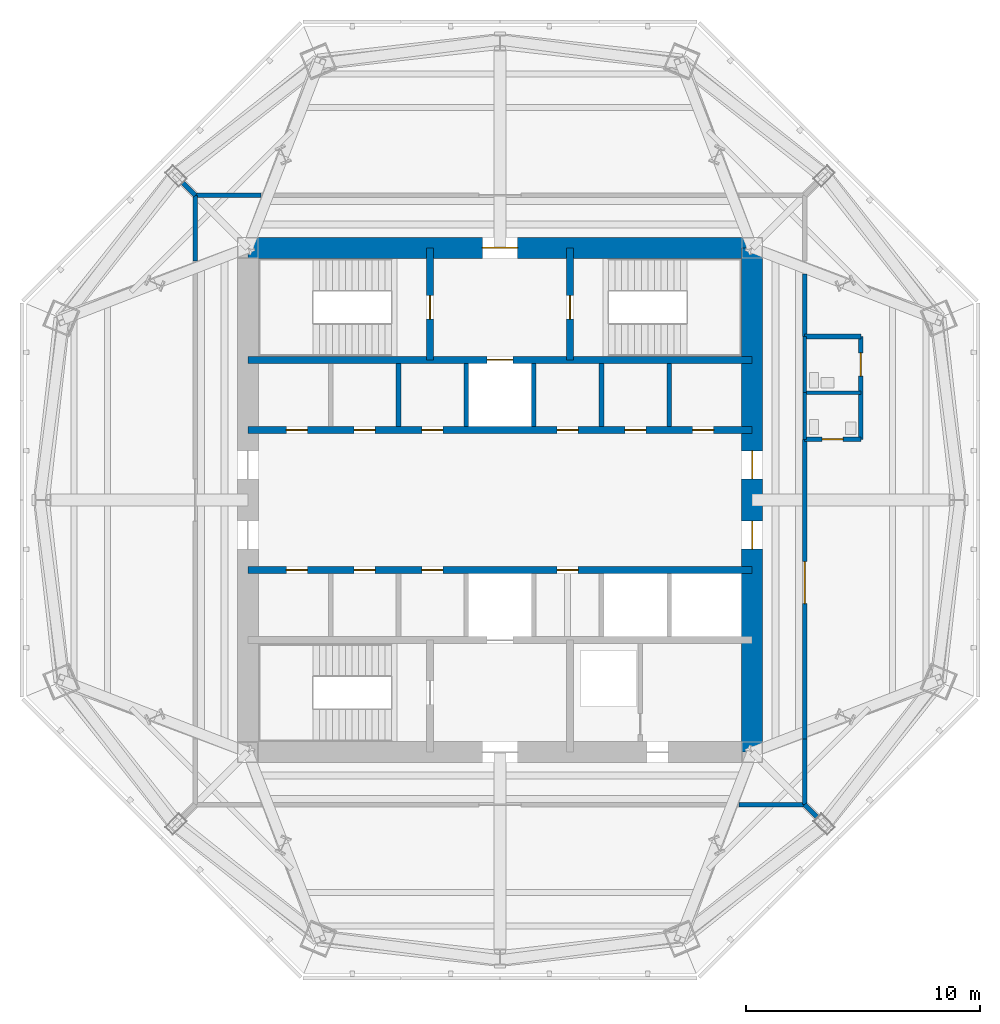
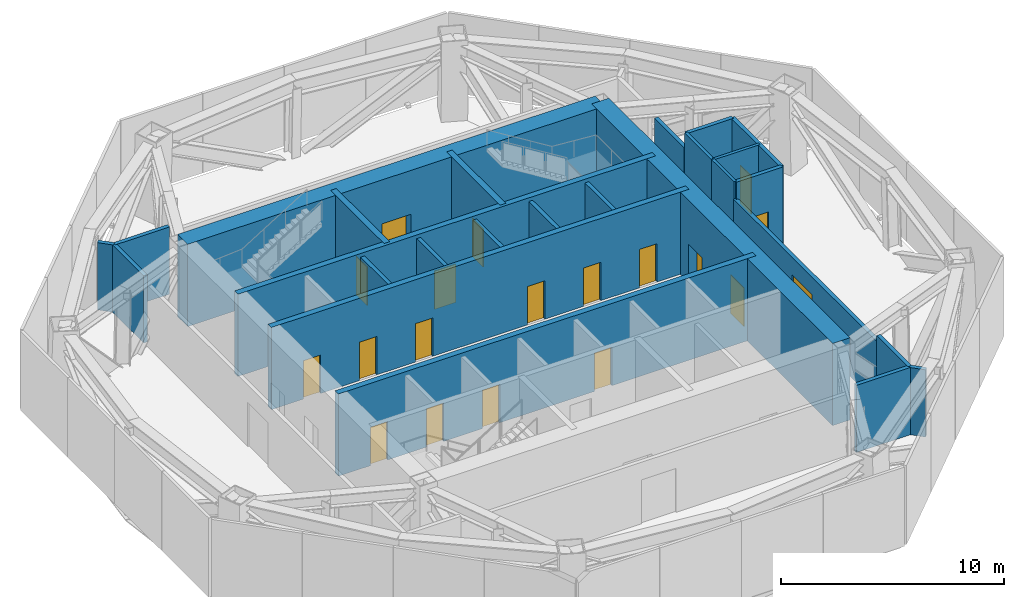
# One storey, part 5 of 9: 26 walls, 19 doors, 19 openings.
"""IFC4 building model written with IfcOpenShell, lengths in metres."""

from ifc_helpers import new_model, si_unit, direction, frame, frame_2d, origin, place, context, subcontext, project, spatial, rectangle, extrude, material, layer, layer_set, type_object, element, fill, save


model = new_model("IFC4")

# Units and contexts
model_context = context("Model", 3, precision=1e-05, world=origin(), true_north=direction((0.0, 1.0)))
body_context = subcontext(model_context, "Body", "Model", "MODEL_VIEW")
ifc_project = project(units=[si_unit("LENGTHUNIT", "METRE"), si_unit("AREAUNIT", "SQUARE_METRE"), si_unit("VOLUMEUNIT", "CUBIC_METRE"), si_unit("PLANEANGLEUNIT", "RADIAN"), si_unit("MASSUNIT", "GRAM", prefix="KILO")], contexts=[model_context])

# Site, building, storey
site_placement = place(None, origin())
site = spatial("IfcSite", under=ifc_project, at=site_placement, CompositionType="ELEMENT")
building_placement = place(site_placement, origin())
building = spatial("IfcBuilding", under=site, at=building_placement, Name="Mashrafa Tower", CompositionType="ELEMENT")
storey_placement = place(building_placement, frame((0.0, 0.0, 266.300048828125)))
storey = spatial("IfcBuildingStorey", under=building, at=storey_placement, Name="L64", CompositionType="ELEMENT", Elevation=266.300048828125)

# Wall
ifc_material_1 = material(Name="Concrete masonry unit", Category="masonry")
ifc_layer_1 = layer(ifc_material_1, 0.199951171875)
ifc_layer_set_1 = layer_set([ifc_layer_1], Name="Blockwork wall 200 2 hr")
wall_type_1 = type_object("IfcWallType", Name="Blockwork wall 200 2 hr", PredefinedType="PARTITIONING", material=ifc_layer_set_1)
wall_1_placement = place(storey_placement, frame((13.050048828125, -13.050048828125, 0.0), z_axis=(0.0, 0.0, 1.0), x_axis=(0.0, 1.0, 0.0)))
element("IfcWall", 1, at=wall_1_placement, inside=storey, type_object=wall_type_1, Name="Blockwork wall L64-003", PredefinedType="PARTITIONING", context=body_context, shape_type="SweptSolid", body=[
    extrude(rectangle(XDim=2.820068359375, YDim=0.199951171875, at=frame_2d((1.41015625, 0.0))), origin(), (0.0, 0.0, 1.0), 3.677734375),
])

# Wall, opening, door
wall_2_placement = place(storey_placement, frame((13.050048828125, -10.22802734375, 0.0), z_axis=(0.0, 0.0, 1.0), x_axis=(0.0, 1.0, 0.0)))
wall_2 = element("IfcWall", 2, at=wall_2_placement, inside=storey, type_object=wall_type_1, Name="Blockwork wall L64-004", PredefinedType="PARTITIONING", context=body_context, shape_type="SweptSolid", body=[
    extrude(rectangle(XDim=12.8291015625, YDim=0.199951171875, at=frame_2d((6.41455078125, 0.0))), origin(), (0.0, 0.0, 1.0), 3.36279296875),
])
opening_1_placement = place(wall_2_placement, frame((5.78564453125, 0.0, 0.0)))
opening_1 = element("IfcOpeningElement", 3, at=opening_1_placement, cuts=wall_2, Name="Opening 64.003", PredefinedType="OPENING", context=body_context, shape_type="SweptSolid", body=[
    extrude(rectangle(XDim=1.800048828125, YDim=2.39990234375, at=frame_2d((0.89990234375, 1.199951171875))), frame((0.0, 0.10986328125, 0.0), z_axis=(0.0, -1.0, 0.0), x_axis=(1.0, 0.0, 0.0)), (0.0, 0.0, 1.0), 0.219970703125),
])
ifc_material_2 = material(Name="Steel door", Category="steel")
door_type_1 = type_object("IfcDoorType", Name="Door pair 1800 x 2400 90 min", OperationType="DOUBLE_DOOR_SINGLE_SWING", PredefinedType="DOOR", material=ifc_material_2)
door_1_placement = place(opening_1_placement, origin())
door_1 = element("IfcDoor", 4, at=door_1_placement, inside=storey, type_object=door_type_1, Name="Refuge Area L64 East door", OperationType="DOUBLE_DOOR_SINGLE_SWING", OverallHeight=2.39990234375, OverallWidth=1.800048828125, PredefinedType="DOOR", context=body_context, shape_type="SweptSolid", body=[
    extrude(rectangle(XDim=1.800048828125, YDim=2.39990234375, at=frame_2d((0.89990234375, 1.199951171875))), frame((0.0, 0.02490234375, 0.0), z_axis=(0.0, -1.0, 0.0), x_axis=(1.0, 0.0, 0.0)), (0.0, 0.0, 1.0), 0.050048828125),
])
fill(opening_1, door_1)

# Walls
wall_3_placement = place(storey_placement, frame((13.050048828125, 6.9990234375, 0.0), z_axis=(0.0, 0.0, 1.0), x_axis=(0.0, 1.0, 0.0)))
element("IfcWall", 5, at=wall_3_placement, inside=storey, type_object=wall_type_1, Name="Blockwork wall L64-005", PredefinedType="PARTITIONING", context=body_context, shape_type="SweptSolid", body=[
    extrude(rectangle(XDim=2.6865234375, YDim=0.199951171875, at=frame_2d((1.34326171875, 0.0))), origin(), (0.0, 0.0, 1.0), 3.489990234375),
])
for number, where, z_axis, x_axis, name in (
    (6, (-13.050048828125, 13.050048828125, 0.0), (0.0, 0.0, 1.0), (0.0, -1.0, 0.0), "Blockwork wall L64-007"),
    (7, (-10.22998046875, 13.050048828125, 0.0), (0.0, 0.0, 1.0), (-1.0, 0.0, 0.0), "Blockwork wall L64-012"),
    (8, (10.22998046875, -13.050048828125, 0.0), (0.0, 0.0, 1.0), (1.0, 0.0, 0.0), "Blockwork wall L64-015"),
):
    element("IfcWall", number, at=place(storey_placement, frame(where, z_axis=z_axis, x_axis=x_axis)), inside=storey, type_object=wall_type_1, Name=name, PredefinedType="PARTITIONING", context=body_context, shape_type="SweptSolid", body=[
        extrude(rectangle(XDim=2.820068359375, YDim=0.199951171875, at=frame_2d((1.41015625, 0.0))), origin(), (0.0, 0.0, 1.0), 3.677734375),
    ])

# Wall, opening, door
wall_4_placement = place(storey_placement, frame((13.050048828125, 2.60009765625, 0.0), z_axis=(0.0, 0.0, 1.0), x_axis=(1.0, 0.0, 0.0)))
wall_4 = element("IfcWall", 9, at=wall_4_placement, inside=storey, type_object=wall_type_1, Name="Blockwork wall L64-017", PredefinedType="PARTITIONING", context=body_context, shape_type="SweptSolid", body=[
    extrude(rectangle(XDim=2.39990234375, YDim=0.199951171875, at=frame_2d((1.199951171875, 0.0))), origin(), (0.0, 0.0, 1.0), 4.300048828125),
])
opening_2_placement = place(wall_4_placement, frame((0.75, 0.0, 0.0)))
opening_2 = element("IfcOpeningElement", 10, at=opening_2_placement, cuts=wall_4, Name="Opening 64.001", PredefinedType="OPENING", context=body_context, shape_type="SweptSolid", body=[
    extrude(rectangle(XDim=0.89990234375, YDim=2.10009765625, at=frame_2d((0.449951171875, 1.050048828125))), frame((0.0, 0.10986328125, 0.0), z_axis=(0.0, -1.0, 0.0), x_axis=(1.0, 0.0, 0.0)), (0.0, 0.0, 1.0), 0.219970703125),
])
ifc_material_3 = material(Name="Timber door", Category="wood")
door_type_2 = type_object("IfcDoorType", Name="Toilet door 900 x 2100", OperationType="USERDEFINED", PredefinedType="DOOR", material=ifc_material_3)
door_2_placement = place(opening_2_placement, origin())
door_2 = element("IfcDoor", 11, at=door_2_placement, inside=storey, type_object=door_type_2, Name="Refuge WC L64 door", OperationType="SINGLE_SWING_RIGHT", OverallHeight=2.10009765625, OverallWidth=0.89990234375, PredefinedType="DOOR", context=body_context, shape_type="SweptSolid", body=[
    extrude(rectangle(XDim=0.89990234375, YDim=2.10009765625, at=frame_2d((0.449951171875, 1.050048828125))), frame((0.0, 0.02490234375, 0.0), z_axis=(0.0, -1.0, 0.0), x_axis=(1.0, 0.0, 0.0)), (0.0, 0.0, 1.0), 0.050048828125),
])
fill(opening_2, door_2)

wall_5_placement = place(storey_placement, frame((15.449951171875, 2.60009765625, 0.0), z_axis=(0.0, 0.0, 1.0), x_axis=(0.0, 1.0, 0.0)))
wall_5 = element("IfcWall", 12, at=wall_5_placement, inside=storey, type_object=wall_type_1, Name="Blockwork wall L64-018", PredefinedType="PARTITIONING", context=body_context, shape_type="SweptSolid", body=[
    extrude(rectangle(XDim=4.39990234375, YDim=0.199951171875, at=frame_2d((2.199951171875, 0.0))), origin(), (0.0, 0.0, 1.0), 4.300048828125),
])
opening_3_placement = place(wall_5_placement, frame((2.699951171875, 0.0, 0.0)))
opening_3 = element("IfcOpeningElement", 13, at=opening_3_placement, cuts=wall_5, Name="Opening 64.002", PredefinedType="OPENING", context=body_context, shape_type="SweptSolid", body=[
    extrude(rectangle(XDim=1.0, YDim=2.10009765625, at=frame_2d((0.5, 1.050048828125))), frame((0.0, 0.10986328125, 0.0), z_axis=(0.0, -1.0, 0.0), x_axis=(1.0, 0.0, 0.0)), (0.0, 0.0, 1.0), 0.219970703125),
])
ifc_material_4 = material(Name="Timber door", Category="wood")
door_type_3 = type_object("IfcDoorType", Name="Accessible toilet door 1000 x 2100", OperationType="USERDEFINED", PredefinedType="DOOR", material=ifc_material_4)
door_3_placement = place(opening_3_placement, origin())
door_3 = element("IfcDoor", 14, at=door_3_placement, inside=storey, type_object=door_type_3, Name="Refuge Accessible WC L64 door", OperationType="SINGLE_SWING_LEFT", OverallHeight=2.10009765625, OverallWidth=1.0, PredefinedType="DOOR", context=body_context, shape_type="SweptSolid", body=[
    extrude(rectangle(XDim=1.0, YDim=2.10009765625, at=frame_2d((0.5, 1.050048828125))), frame((0.0, 0.02490234375, 0.0), z_axis=(0.0, -1.0, 0.0), x_axis=(1.0, 0.0, 0.0)), (0.0, 0.0, 1.0), 0.050048828125),
])
fill(opening_3, door_3)

# Walls
wall_6_placement = place(storey_placement, frame((15.449951171875, 7.0, 0.0), z_axis=(0.0, 0.0, 1.0), x_axis=(-1.0, 0.0, 0.0)))
element("IfcWall", 15, at=wall_6_placement, inside=storey, type_object=wall_type_1, Name="Blockwork wall L64-020", PredefinedType="PARTITIONING", context=body_context, shape_type="SweptSolid", body=[
    extrude(rectangle(XDim=2.39990234375, YDim=0.199951171875, at=frame_2d((1.199951171875, 0.0))), origin(), (0.0, 0.0, 1.0), 4.300048828125),
])
for number, where, z_axis, x_axis, name in (
    (16, (13.050048828125, -13.050048828125, 0.0), (0.0, 0.0, 1.0), (0.707106781187, -0.707106781187, 0.0), "Blockwork wall L64-022"),
    (17, (-13.050048828125, 13.050048828125, 0.0), (0.0, 0.0, 1.0), (-0.707106781187, 0.707106781187, 0.0), "Blockwork wall L64-023"),
):
    element("IfcWall", number, at=place(storey_placement, frame(where, z_axis=z_axis, x_axis=x_axis)), inside=storey, type_object=wall_type_1, Name=name, PredefinedType="PARTITIONING", context=body_context, shape_type="SweptSolid", body=[
        extrude(rectangle(XDim=0.747802734375, YDim=0.199951171875, at=frame_2d((0.3740234375, 0.0))), origin(), (0.0, 0.0, 1.0), 3.677734375),
    ])

# Wall, openings, doors
ifc_material_5 = material(Name="Concrete C50/60", Category="concrete")
ifc_layer_2 = layer(ifc_material_5, 0.300048828125)
ifc_layer_set_2 = layer_set([ifc_layer_2], Name="Core wall 300 C50/60")
wall_type_2 = type_object("IfcWallType", Name="Core wall 300 C50/60", PredefinedType="SOLIDWALL", material=ifc_layer_set_2)
wall_7_placement = place(storey_placement, frame((-10.800048828125, 3.0, 0.0), z_axis=(0.0, 0.0, 1.0), x_axis=(1.0, 0.0, 0.0)))
wall_7 = element("IfcWall", 18, at=wall_7_placement, inside=storey, type_object=wall_type_2, Name="Core wall CH-N L64", PredefinedType="SOLIDWALL", context=body_context, shape_type="SweptSolid", body=[
    extrude(rectangle(XDim=21.60009765625, YDim=0.300048828125, at=frame_2d((10.800048828125, 0.0))), origin(), (0.0, 0.0, 1.0), 4.5),
])
opening_4_placement = place(wall_7_placement, frame((1.64990234375, 0.0, 0.0)))
opening_4 = element("IfcOpeningElement", 19, at=opening_4_placement, cuts=wall_7, Name="Opening 64.018", PredefinedType="OPENING", context=body_context, shape_type="SweptSolid", body=[
    extrude(rectangle(XDim=0.89990234375, YDim=2.10009765625, at=frame_2d((0.449951171875, 1.050048828125))), frame((0.0, 0.159912109375, 0.0), z_axis=(0.0, -1.0, 0.0), x_axis=(1.0, 0.0, 0.0)), (0.0, 0.0, 1.0), 0.320068359375),
])
opening_5_placement = place(wall_7_placement, frame((4.550048828125, 0.0, 0.0)))
opening_5 = element("IfcOpeningElement", 20, at=opening_5_placement, cuts=wall_7, Name="Opening 64.019", PredefinedType="OPENING", context=body_context, shape_type="SweptSolid", body=[
    extrude(rectangle(XDim=0.89990234375, YDim=2.10009765625, at=frame_2d((0.449951171875, 1.050048828125))), frame((0.0, 0.159912109375, 0.0), z_axis=(0.0, -1.0, 0.0), x_axis=(1.0, 0.0, 0.0)), (0.0, 0.0, 1.0), 0.320068359375),
])
opening_6_placement = place(wall_7_placement, frame((7.449951171875, 0.0, 0.0)))
opening_6 = element("IfcOpeningElement", 21, at=opening_6_placement, cuts=wall_7, Name="Opening 64.020", PredefinedType="OPENING", context=body_context, shape_type="SweptSolid", body=[
    extrude(rectangle(XDim=0.89990234375, YDim=2.10009765625, at=frame_2d((0.449951171875, 1.050048828125))), frame((0.0, 0.159912109375, 0.0), z_axis=(0.0, -1.0, 0.0), x_axis=(1.0, 0.0, 0.0)), (0.0, 0.0, 1.0), 0.320068359375),
])
opening_7_placement = place(wall_7_placement, frame((13.25, 0.0, 0.0)))
opening_7 = element("IfcOpeningElement", 22, at=opening_7_placement, cuts=wall_7, Name="Opening 64.021", PredefinedType="OPENING", context=body_context, shape_type="SweptSolid", body=[
    extrude(rectangle(XDim=0.89990234375, YDim=2.10009765625, at=frame_2d((0.449951171875, 1.050048828125))), frame((0.0, 0.159912109375, 0.0), z_axis=(0.0, -1.0, 0.0), x_axis=(1.0, 0.0, 0.0)), (0.0, 0.0, 1.0), 0.320068359375),
])
opening_8_placement = place(wall_7_placement, frame((16.14990234375, 0.0, 0.0)))
opening_8 = element("IfcOpeningElement", 23, at=opening_8_placement, cuts=wall_7, Name="Opening 64.022", PredefinedType="OPENING", context=body_context, shape_type="SweptSolid", body=[
    extrude(rectangle(XDim=0.89990234375, YDim=2.10009765625, at=frame_2d((0.449951171875, 1.050048828125))), frame((0.0, 0.159912109375, 0.0), z_axis=(0.0, -1.0, 0.0), x_axis=(1.0, 0.0, 0.0)), (0.0, 0.0, 1.0), 0.320068359375),
])
opening_9_placement = place(wall_7_placement, frame((19.050048828125, 0.0, 0.0)))
opening_9 = element("IfcOpeningElement", 24, at=opening_9_placement, cuts=wall_7, Name="Opening 64.023", PredefinedType="OPENING", context=body_context, shape_type="SweptSolid", body=[
    extrude(rectangle(XDim=0.89990234375, YDim=2.10009765625, at=frame_2d((0.449951171875, 1.050048828125))), frame((0.0, 0.159912109375, 0.0), z_axis=(0.0, -1.0, 0.0), x_axis=(1.0, 0.0, 0.0)), (0.0, 0.0, 1.0), 0.320068359375),
])
ifc_material_6 = material(Name="Timber door", Category="wood")
door_type_4 = type_object("IfcDoorType", Name="Store door 900 x 2100", OperationType="USERDEFINED", PredefinedType="DOOR", material=ifc_material_6)
door_4_placement = place(opening_4_placement, origin())
door_4 = element("IfcDoor", 25, at=door_4_placement, inside=storey, type_object=door_type_4, Name="Plant Store L64-A1 door", OperationType="SINGLE_SWING_RIGHT", OverallHeight=2.10009765625, OverallWidth=0.89990234375, PredefinedType="DOOR", context=body_context, shape_type="SweptSolid", body=[
    extrude(rectangle(XDim=0.89990234375, YDim=2.10009765625, at=frame_2d((0.449951171875, 1.050048828125))), frame((0.0, 0.02490234375, 0.0), z_axis=(0.0, -1.0, 0.0), x_axis=(1.0, 0.0, 0.0)), (0.0, 0.0, 1.0), 0.050048828125),
])
fill(opening_4, door_4)
door_5_placement = place(opening_5_placement, origin())
door_5 = element("IfcDoor", 26, at=door_5_placement, inside=storey, type_object=door_type_4, Name="Plant Store L64-A2 door", OperationType="SINGLE_SWING_LEFT", OverallHeight=2.10009765625, OverallWidth=0.89990234375, PredefinedType="DOOR", context=body_context, shape_type="SweptSolid", body=[
    extrude(rectangle(XDim=0.89990234375, YDim=2.10009765625, at=frame_2d((0.449951171875, 1.050048828125))), frame((0.0, 0.02490234375, 0.0), z_axis=(0.0, -1.0, 0.0), x_axis=(1.0, 0.0, 0.0)), (0.0, 0.0, 1.0), 0.050048828125),
])
fill(opening_5, door_5)
door_6_placement = place(opening_6_placement, origin())
door_6 = element("IfcDoor", 27, at=door_6_placement, inside=storey, type_object=door_type_4, Name="Plant Store L64-A3 door", OperationType="SINGLE_SWING_LEFT", OverallHeight=2.10009765625, OverallWidth=0.89990234375, PredefinedType="DOOR", context=body_context, shape_type="SweptSolid", body=[
    extrude(rectangle(XDim=0.89990234375, YDim=2.10009765625, at=frame_2d((0.449951171875, 1.050048828125))), frame((0.0, 0.02490234375, 0.0), z_axis=(0.0, -1.0, 0.0), x_axis=(1.0, 0.0, 0.0)), (0.0, 0.0, 1.0), 0.050048828125),
])
fill(opening_6, door_6)
door_7_placement = place(opening_7_placement, origin())
door_7 = element("IfcDoor", 28, at=door_7_placement, inside=storey, type_object=door_type_4, Name="Plant Store L64-A4 door", OperationType="SINGLE_SWING_LEFT", OverallHeight=2.10009765625, OverallWidth=0.89990234375, PredefinedType="DOOR", context=body_context, shape_type="SweptSolid", body=[
    extrude(rectangle(XDim=0.89990234375, YDim=2.10009765625, at=frame_2d((0.449951171875, 1.050048828125))), frame((0.0, 0.02490234375, 0.0), z_axis=(0.0, -1.0, 0.0), x_axis=(1.0, 0.0, 0.0)), (0.0, 0.0, 1.0), 0.050048828125),
])
fill(opening_7, door_7)
door_8_placement = place(opening_8_placement, origin())
door_8 = element("IfcDoor", 29, at=door_8_placement, inside=storey, type_object=door_type_4, Name="Plant Store L64-K1 door", OperationType="SINGLE_SWING_LEFT", OverallHeight=2.10009765625, OverallWidth=0.89990234375, PredefinedType="DOOR", context=body_context, shape_type="SweptSolid", body=[
    extrude(rectangle(XDim=0.89990234375, YDim=2.10009765625, at=frame_2d((0.449951171875, 1.050048828125))), frame((0.0, 0.02490234375, 0.0), z_axis=(0.0, -1.0, 0.0), x_axis=(1.0, 0.0, 0.0)), (0.0, 0.0, 1.0), 0.050048828125),
])
fill(opening_8, door_8)
door_9_placement = place(opening_9_placement, origin())
door_9 = element("IfcDoor", 30, at=door_9_placement, inside=storey, type_object=door_type_4, Name="Plant Store L64-K2 door", OperationType="SINGLE_SWING_LEFT", OverallHeight=2.10009765625, OverallWidth=0.89990234375, PredefinedType="DOOR", context=body_context, shape_type="SweptSolid", body=[
    extrude(rectangle(XDim=0.89990234375, YDim=2.10009765625, at=frame_2d((0.449951171875, 1.050048828125))), frame((0.0, 0.02490234375, 0.0), z_axis=(0.0, -1.0, 0.0), x_axis=(1.0, 0.0, 0.0)), (0.0, 0.0, 1.0), 0.050048828125),
])
fill(opening_9, door_9)

# Wall, opening, door
wall_8_placement = place(storey_placement, frame((-10.800048828125, 6.0, 0.0), z_axis=(0.0, 0.0, 1.0), x_axis=(1.0, 0.0, 0.0)))
wall_8 = element("IfcWall", 31, at=wall_8_placement, inside=storey, type_object=wall_type_2, Name="Core wall CB-N L64", PredefinedType="SOLIDWALL", context=body_context, shape_type="SweptSolid", body=[
    extrude(rectangle(XDim=21.60009765625, YDim=0.300048828125, at=frame_2d((10.800048828125, 0.0))), origin(), (0.0, 0.0, 1.0), 4.5),
])
opening_10_placement = place(wall_8_placement, frame((10.25, 0.0, 0.0)))
opening_10 = element("IfcOpeningElement", 32, at=opening_10_placement, cuts=wall_8, Name="Opening 64.F1", PredefinedType="OPENING", context=body_context, shape_type="SweptSolid", body=[
    extrude(rectangle(XDim=1.10009765625, YDim=2.10009765625, at=frame_2d((0.550048828125, 1.050048828125))), frame((0.0, 0.159912109375, 0.0), z_axis=(0.0, -1.0, 0.0), x_axis=(1.0, 0.0, 0.0)), (0.0, 0.0, 1.0), 0.320068359375),
])
ifc_material_7 = material(Name="Steel door", Category="steel")
door_type_5 = type_object("IfcDoorType", Name="Lift landing door 1100 x 2100 90 min", OperationType="DOUBLE_DOOR_SLIDING", PredefinedType="DOOR", material=ifc_material_7)
door_10_placement = place(opening_10_placement, origin())
door_10 = element("IfcDoor", 33, at=door_10_placement, inside=storey, type_object=door_type_5, Name="Lift landing door F1 L64", OperationType="DOUBLE_DOOR_SLIDING", OverallHeight=2.10009765625, OverallWidth=1.10009765625, PredefinedType="DOOR", context=body_context, shape_type="SweptSolid", body=[
    extrude(rectangle(XDim=1.10009765625, YDim=2.10009765625, at=frame_2d((0.550048828125, 1.050048828125))), frame((0.0, 0.02490234375, 0.0), z_axis=(0.0, -1.0, 0.0), x_axis=(1.0, 0.0, 0.0)), (0.0, 0.0, 1.0), 0.050048828125),
])
fill(opening_10, door_10)

wall_9_placement = place(storey_placement, frame((-3.0, 6.0, 0.0), z_axis=(0.0, 0.0, 1.0), x_axis=(0.0, 1.0, 0.0)))
wall_9 = element("IfcWall", 34, at=wall_9_placement, inside=storey, type_object=wall_type_2, Name="Core wall CX-NW L64", PredefinedType="SOLIDWALL", context=body_context, shape_type="SweptSolid", body=[
    extrude(rectangle(XDim=4.800048828125, YDim=0.300048828125, at=frame_2d((2.39990234375, 0.0))), origin(), (0.0, 0.0, 1.0), 4.5),
])
opening_11_placement = place(wall_9_placement, frame((1.75, 0.0, 0.0)))
opening_11 = element("IfcOpeningElement", 35, at=opening_11_placement, cuts=wall_9, Name="Opening 64.013", PredefinedType="OPENING", context=body_context, shape_type="SweptSolid", body=[
    extrude(rectangle(XDim=1.0, YDim=2.10009765625, at=frame_2d((0.5, 1.050048828125))), frame((0.0, 0.159912109375, 0.0), z_axis=(0.0, -1.0, 0.0), x_axis=(1.0, 0.0, 0.0)), (0.0, 0.0, 1.0), 0.320068359375),
])
ifc_material_8 = material(Name="Steel door", Category="steel")
door_type_6 = type_object("IfcDoorType", Name="Stair door 1000 x 2100 90 min", OperationType="USERDEFINED", PredefinedType="DOOR", material=ifc_material_8)
door_11_placement = place(opening_11_placement, origin())
door_11 = element("IfcDoor", 36, at=door_11_placement, inside=storey, type_object=door_type_6, Name="Stair S1 door L64", OperationType="SINGLE_SWING_LEFT", OverallHeight=2.10009765625, OverallWidth=1.0, PredefinedType="DOOR", context=body_context, shape_type="SweptSolid", body=[
    extrude(rectangle(XDim=1.0, YDim=2.10009765625, at=frame_2d((0.5, 1.050048828125))), frame((0.0, 0.02490234375, 0.0), z_axis=(0.0, -1.0, 0.0), x_axis=(1.0, 0.0, 0.0)), (0.0, 0.0, 1.0), 0.050048828125),
])
fill(opening_11, door_11)

wall_10_placement = place(storey_placement, frame((3.0, 6.0, 0.0), z_axis=(0.0, 0.0, 1.0), x_axis=(0.0, 1.0, 0.0)))
wall_10 = element("IfcWall", 37, at=wall_10_placement, inside=storey, type_object=wall_type_2, Name="Core wall CX-NE L64", PredefinedType="SOLIDWALL", context=body_context, shape_type="SweptSolid", body=[
    extrude(rectangle(XDim=4.800048828125, YDim=0.300048828125, at=frame_2d((2.39990234375, 0.0))), origin(), (0.0, 0.0, 1.0), 4.5),
])
opening_12_placement = place(wall_10_placement, frame((1.75, 0.0, 0.0)))
opening_12 = element("IfcOpeningElement", 38, at=opening_12_placement, cuts=wall_10, Name="Opening 64.014", PredefinedType="OPENING", context=body_context, shape_type="SweptSolid", body=[
    extrude(rectangle(XDim=1.0, YDim=2.10009765625, at=frame_2d((0.5, 1.050048828125))), frame((0.0, 0.159912109375, 0.0), z_axis=(0.0, -1.0, 0.0), x_axis=(1.0, 0.0, 0.0)), (0.0, 0.0, 1.0), 0.320068359375),
])
door_12_placement = place(opening_12_placement, frame((1.0, 0.0, 0.0), z_axis=(0.0, 0.0, 1.0), x_axis=(-1.0, 0.0, 0.0)))
door_12 = element("IfcDoor", 39, at=door_12_placement, inside=storey, type_object=door_type_6, Name="Stair S2 door L64", OperationType="SINGLE_SWING_RIGHT", OverallHeight=2.10009765625, OverallWidth=1.0, PredefinedType="DOOR", context=body_context, shape_type="SweptSolid", body=[
    extrude(rectangle(XDim=1.0, YDim=2.10009765625, at=frame_2d((0.5, 1.050048828125))), frame((0.0, 0.02490234375, 0.0), z_axis=(0.0, -1.0, 0.0), x_axis=(1.0, 0.0, 0.0)), (0.0, 0.0, 1.0), 0.050048828125),
])
fill(opening_12, door_12)

# Wall, openings, doors
wall_11_placement = place(storey_placement, frame((-10.800048828125, -3.0, 0.0), z_axis=(0.0, 0.0, 1.0), x_axis=(1.0, 0.0, 0.0)))
wall_11 = element("IfcWall", 40, at=wall_11_placement, inside=storey, type_object=wall_type_2, Name="Core wall CH-S L64", PredefinedType="SOLIDWALL", context=body_context, shape_type="SweptSolid", body=[
    extrude(rectangle(XDim=21.60009765625, YDim=0.300048828125, at=frame_2d((10.800048828125, 0.0))), origin(), (0.0, 0.0, 1.0), 4.5),
])
opening_13_placement = place(wall_11_placement, frame((1.64990234375, 0.0, 0.0)))
opening_13 = element("IfcOpeningElement", 41, at=opening_13_placement, cuts=wall_11, Name="Opening 64.024", PredefinedType="OPENING", context=body_context, shape_type="SweptSolid", body=[
    extrude(rectangle(XDim=0.89990234375, YDim=2.10009765625, at=frame_2d((0.449951171875, 1.050048828125))), frame((0.0, 0.159912109375, 0.0), z_axis=(0.0, -1.0, 0.0), x_axis=(1.0, 0.0, 0.0)), (0.0, 0.0, 1.0), 0.320068359375),
])
opening_14_placement = place(wall_11_placement, frame((4.550048828125, 0.0, 0.0)))
opening_14 = element("IfcOpeningElement", 42, at=opening_14_placement, cuts=wall_11, Name="Opening 64.025", PredefinedType="OPENING", context=body_context, shape_type="SweptSolid", body=[
    extrude(rectangle(XDim=0.89990234375, YDim=2.10009765625, at=frame_2d((0.449951171875, 1.050048828125))), frame((0.0, 0.159912109375, 0.0), z_axis=(0.0, -1.0, 0.0), x_axis=(1.0, 0.0, 0.0)), (0.0, 0.0, 1.0), 0.320068359375),
])
opening_15_placement = place(wall_11_placement, frame((7.449951171875, 0.0, 0.0)))
opening_15 = element("IfcOpeningElement", 43, at=opening_15_placement, cuts=wall_11, Name="Opening 64.026", PredefinedType="OPENING", context=body_context, shape_type="SweptSolid", body=[
    extrude(rectangle(XDim=0.89990234375, YDim=2.10009765625, at=frame_2d((0.449951171875, 1.050048828125))), frame((0.0, 0.159912109375, 0.0), z_axis=(0.0, -1.0, 0.0), x_axis=(1.0, 0.0, 0.0)), (0.0, 0.0, 1.0), 0.320068359375),
])
opening_16_placement = place(wall_11_placement, frame((13.25, 0.0, 0.0)))
opening_16 = element("IfcOpeningElement", 44, at=opening_16_placement, cuts=wall_11, Name="Opening 64.027", PredefinedType="OPENING", context=body_context, shape_type="SweptSolid", body=[
    extrude(rectangle(XDim=0.89990234375, YDim=2.10009765625, at=frame_2d((0.449951171875, 1.050048828125))), frame((0.0, 0.159912109375, 0.0), z_axis=(0.0, -1.0, 0.0), x_axis=(1.0, 0.0, 0.0)), (0.0, 0.0, 1.0), 0.320068359375),
])
door_13_placement = place(opening_13_placement, frame((0.89990234375, 0.0, 0.0), z_axis=(0.0, 0.0, 1.0), x_axis=(-1.0, 0.0, 0.0)))
door_13 = element("IfcDoor", 45, at=door_13_placement, inside=storey, type_object=door_type_4, Name="Plant Store L64-B1 door", OperationType="SINGLE_SWING_LEFT", OverallHeight=2.10009765625, OverallWidth=0.89990234375, PredefinedType="DOOR", context=body_context, shape_type="SweptSolid", body=[
    extrude(rectangle(XDim=0.89990234375, YDim=2.10009765625, at=frame_2d((0.449951171875, 1.050048828125))), frame((0.0, 0.02490234375, 0.0), z_axis=(0.0, -1.0, 0.0), x_axis=(1.0, 0.0, 0.0)), (0.0, 0.0, 1.0), 0.050048828125),
])
fill(opening_13, door_13)
door_14_placement = place(opening_14_placement, frame((0.89990234375, 0.0, 0.0), z_axis=(0.0, 0.0, 1.0), x_axis=(-1.0, 0.0, 0.0)))
door_14 = element("IfcDoor", 46, at=door_14_placement, inside=storey, type_object=door_type_4, Name="Plant Store L64-B2 door", OperationType="SINGLE_SWING_RIGHT", OverallHeight=2.10009765625, OverallWidth=0.89990234375, PredefinedType="DOOR", context=body_context, shape_type="SweptSolid", body=[
    extrude(rectangle(XDim=0.89990234375, YDim=2.10009765625, at=frame_2d((0.449951171875, 1.050048828125))), frame((0.0, 0.02490234375, 0.0), z_axis=(0.0, -1.0, 0.0), x_axis=(1.0, 0.0, 0.0)), (0.0, 0.0, 1.0), 0.050048828125),
])
fill(opening_14, door_14)
door_15_placement = place(opening_15_placement, frame((0.89990234375, 0.0, 0.0), z_axis=(0.0, 0.0, 1.0), x_axis=(-1.0, 0.0, 0.0)))
door_15 = element("IfcDoor", 47, at=door_15_placement, inside=storey, type_object=door_type_4, Name="Plant Store L64-B3 door", OperationType="SINGLE_SWING_RIGHT", OverallHeight=2.10009765625, OverallWidth=0.89990234375, PredefinedType="DOOR", context=body_context, shape_type="SweptSolid", body=[
    extrude(rectangle(XDim=0.89990234375, YDim=2.10009765625, at=frame_2d((0.449951171875, 1.050048828125))), frame((0.0, 0.02490234375, 0.0), z_axis=(0.0, -1.0, 0.0), x_axis=(1.0, 0.0, 0.0)), (0.0, 0.0, 1.0), 0.050048828125),
])
fill(opening_15, door_15)
door_16_placement = place(opening_16_placement, frame((0.89990234375, 0.0, 0.0), z_axis=(0.0, 0.0, 1.0), x_axis=(-1.0, 0.0, 0.0)))
door_16 = element("IfcDoor", 48, at=door_16_placement, inside=storey, type_object=door_type_4, Name="Plant Store L64-B4 door", OperationType="SINGLE_SWING_RIGHT", OverallHeight=2.10009765625, OverallWidth=0.89990234375, PredefinedType="DOOR", context=body_context, shape_type="SweptSolid", body=[
    extrude(rectangle(XDim=0.89990234375, YDim=2.10009765625, at=frame_2d((0.449951171875, 1.050048828125))), frame((0.0, 0.02490234375, 0.0), z_axis=(0.0, -1.0, 0.0), x_axis=(1.0, 0.0, 0.0)), (0.0, 0.0, 1.0), 0.050048828125),
])
fill(opening_16, door_16)

ifc_material_9 = material(Name="Concrete C50/60", Category="concrete")
ifc_layer_3 = layer(ifc_material_9, 0.89990234375)
ifc_layer_set_3 = layer_set([ifc_layer_3], Name="Core wall 900 C50/60")
wall_type_3 = type_object("IfcWallType", Name="Core wall 900 C50/60", PredefinedType="SOLIDWALL", material=ifc_layer_set_3)
wall_12_placement = place(storey_placement, frame((10.800048828125, -10.800048828125, 0.0), z_axis=(0.0, 0.0, 1.0), x_axis=(0.0, 1.0, 0.0)))
wall_12 = element("IfcWall", 49, at=wall_12_placement, inside=storey, type_object=wall_type_3, Name="Core wall CW-E L64", PredefinedType="SOLIDWALL", context=body_context, shape_type="SweptSolid", body=[
    extrude(rectangle(XDim=21.60009765625, YDim=0.89990234375, at=frame_2d((10.800048828125, 0.0))), origin(), (0.0, 0.0, 1.0), 4.5),
])
opening_17_placement = place(wall_12_placement, frame((11.699951171875, 0.0, 0.0)))
opening_17 = element("IfcOpeningElement", 50, at=opening_17_placement, cuts=wall_12, Name="Opening 64.007", PredefinedType="OPENING", context=body_context, shape_type="SweptSolid", body=[
    extrude(rectangle(XDim=1.199951171875, YDim=2.10009765625, at=frame_2d((0.60009765625, 1.050048828125))), frame((0.0, 0.4599609375, 0.0), z_axis=(0.0, -1.0, 0.0), x_axis=(1.0, 0.0, 0.0)), (0.0, 0.0, 1.0), 0.919921875),
])
opening_18_placement = place(wall_12_placement, frame((8.699951171875, 0.0, 0.0)))
opening_18 = element("IfcOpeningElement", 51, at=opening_18_placement, cuts=wall_12, Name="Opening 64.009", PredefinedType="OPENING", context=body_context, shape_type="SweptSolid", body=[
    extrude(rectangle(XDim=1.199951171875, YDim=2.10009765625, at=frame_2d((0.60009765625, 1.050048828125))), frame((0.0, 0.4599609375, 0.0), z_axis=(0.0, -1.0, 0.0), x_axis=(1.0, 0.0, 0.0)), (0.0, 0.0, 1.0), 0.919921875),
])
ifc_material_10 = material(Name="Steel door", Category="steel")
door_type_7 = type_object("IfcDoorType", Name="Lift hall door 1200 x 2100 90 min", OperationType="USERDEFINED", PredefinedType="DOOR", material=ifc_material_10)
door_17_placement = place(opening_17_placement, frame((1.199951171875, 0.0, 0.0), z_axis=(0.0, 0.0, 1.0), x_axis=(-1.0, 0.0, 0.0)))
door_17 = element("IfcDoor", 52, at=door_17_placement, inside=storey, type_object=door_type_7, Name="Lift hall door east L64", OperationType="SINGLE_SWING_LEFT", OverallHeight=2.10009765625, OverallWidth=1.199951171875, PredefinedType="DOOR", context=body_context, shape_type="SweptSolid", body=[
    extrude(rectangle(XDim=1.199951171875, YDim=2.10009765625, at=frame_2d((0.60009765625, 1.050048828125))), frame((0.0, 0.02490234375, 0.0), z_axis=(0.0, -1.0, 0.0), x_axis=(1.0, 0.0, 0.0)), (0.0, 0.0, 1.0), 0.050048828125),
])
fill(opening_17, door_17)
door_18_placement = place(opening_18_placement, frame((1.199951171875, 0.0, 0.0), z_axis=(0.0, 0.0, 1.0), x_axis=(-1.0, 0.0, 0.0)))
door_18 = element("IfcDoor", 53, at=door_18_placement, inside=storey, type_object=door_type_7, Name="Lift hall door east L64", OperationType="SINGLE_SWING_RIGHT", OverallHeight=2.10009765625, OverallWidth=1.199951171875, PredefinedType="DOOR", context=body_context, shape_type="SweptSolid", body=[
    extrude(rectangle(XDim=1.199951171875, YDim=2.10009765625, at=frame_2d((0.60009765625, 1.050048828125))), frame((0.0, 0.02490234375, 0.0), z_axis=(0.0, -1.0, 0.0), x_axis=(1.0, 0.0, 0.0)), (0.0, 0.0, 1.0), 0.050048828125),
])
fill(opening_18, door_18)

# Wall, opening, door
wall_13_placement = place(storey_placement, frame((10.800048828125, 10.800048828125, 0.0), z_axis=(0.0, 0.0, 1.0), x_axis=(-1.0, 0.0, 0.0)))
wall_13 = element("IfcWall", 54, at=wall_13_placement, inside=storey, type_object=wall_type_3, Name="Core wall CW-N L64", PredefinedType="SOLIDWALL", context=body_context, shape_type="SweptSolid", body=[
    extrude(rectangle(XDim=21.60009765625, YDim=0.89990234375, at=frame_2d((10.800048828125, 0.0))), origin(), (0.0, 0.0, 1.0), 4.5),
])
opening_19_placement = place(wall_13_placement, frame((10.050048828125, 0.0, 0.0)))
opening_19 = element("IfcOpeningElement", 55, at=opening_19_placement, cuts=wall_13, Name="Opening 64.011", PredefinedType="OPENING", context=body_context, shape_type="SweptSolid", body=[
    extrude(rectangle(XDim=1.5, YDim=2.10009765625, at=frame_2d((0.75, 1.050048828125))), frame((0.0, 0.4599609375, 0.0), z_axis=(0.0, -1.0, 0.0), x_axis=(1.0, 0.0, 0.0)), (0.0, 0.0, 1.0), 0.919921875),
])
ifc_material_11 = material(Name="Steel door", Category="steel")
door_type_8 = type_object("IfcDoorType", Name="Lobby door pair 1500 x 2100 90 min", OperationType="DOUBLE_DOOR_SINGLE_SWING", PredefinedType="DOOR", material=ifc_material_11)
door_19_placement = place(opening_19_placement, origin())
door_19 = element("IfcDoor", 56, at=door_19_placement, inside=storey, type_object=door_type_8, Name="Fire-fighting lobby F1 door L64", OperationType="DOUBLE_DOOR_SINGLE_SWING", OverallHeight=2.10009765625, OverallWidth=1.5, PredefinedType="DOOR", context=body_context, shape_type="SweptSolid", body=[
    extrude(rectangle(XDim=1.5, YDim=2.10009765625, at=frame_2d((0.75, 1.050048828125))), frame((0.0, 0.02490234375, 0.0), z_axis=(0.0, -1.0, 0.0), x_axis=(1.0, 0.0, 0.0)), (0.0, 0.0, 1.0), 0.050048828125),
])
fill(opening_19, door_19)

# Walls
ifc_material_12 = material(Name="Gypsum board on steel studs", Category="steel")
ifc_layer_4 = layer(ifc_material_12, 0.14990234375)
ifc_layer_set_4 = layer_set([ifc_layer_4], Name="Corridor partition 150 1 hr")
wall_type_4 = type_object("IfcWallType", Name="Corridor partition 150 1 hr", PredefinedType="PARTITIONING", material=ifc_layer_set_4)
wall_14_placement = place(storey_placement, frame((13.050048828125, 2.59912109375, 0.0), z_axis=(0.0, 0.0, 1.0), x_axis=(0.0, 1.0, 0.0)))
element("IfcWall", 57, at=wall_14_placement, inside=storey, type_object=wall_type_4, Name="Corridor wall L64-001", PredefinedType="PARTITIONING", context=body_context, shape_type="SweptSolid", body=[
    extrude(rectangle(XDim=2.001953125, YDim=0.14990234375, at=frame_2d((1.0009765625, 0.0))), origin(), (0.0, 0.0, 1.0), 4.300048828125),
])
wall_15_placement = place(storey_placement, frame((13.050048828125, 4.59912109375, 0.0), z_axis=(0.0, 0.0, 1.0), x_axis=(0.0, 1.0, 0.0)))
element("IfcWall", 58, at=wall_15_placement, inside=storey, type_object=wall_type_4, Name="Corridor wall L64-002", PredefinedType="PARTITIONING", context=body_context, shape_type="SweptSolid", body=[
    extrude(rectangle(XDim=2.40185546875, YDim=0.14990234375, at=frame_2d((1.200927734375, 0.0))), origin(), (0.0, 0.0, 1.0), 4.300048828125),
])
ifc_material_13 = material(Name="Gypsum board on steel studs", Category="steel")
ifc_layer_5 = layer(ifc_material_13, 0.14990234375)
ifc_layer_set_5 = layer_set([ifc_layer_5], Name="Partition 150")
wall_type_5 = type_object("IfcWallType", Name="Partition 150", PredefinedType="PARTITIONING", material=ifc_layer_set_5)
wall_16_placement = place(storey_placement, frame((15.449951171875, 4.60009765625, 0.0), z_axis=(0.0, 0.0, 1.0), x_axis=(-1.0, 0.0, 0.0)))
element("IfcWall", 59, at=wall_16_placement, inside=storey, type_object=wall_type_5, Name="Partition wall L64-016", PredefinedType="PARTITIONING", context=body_context, shape_type="SweptSolid", body=[
    extrude(rectangle(XDim=2.39990234375, YDim=0.14990234375, at=frame_2d((1.199951171875, 0.0))), origin(), (0.0, 0.0, 1.0), 4.300048828125),
])
ifc_material_14 = material(Name="Gypsum shaft wall on steel studs", Category="steel")
ifc_layer_6 = layer(ifc_material_14, 0.199951171875)
ifc_layer_set_6 = layer_set([ifc_layer_6], Name="Shaft divider wall 200 2 hr")
wall_type_6 = type_object("IfcWallType", Name="Shaft divider wall 200 2 hr", PredefinedType="PARTITIONING", material=ifc_layer_set_6)
for number, where, z_axis, x_axis, name in (
    (60, (-4.35009765625, 3.14990234375, 0.0), (0.0, 0.0, 1.0), (0.0, 1.0, 0.0), "Shaft divider wall N2 L64"),
    (61, (-1.449951171875, 3.14990234375, 0.0), (0.0, 0.0, 1.0), (0.0, 1.0, 0.0), "Shaft divider wall N3 L64"),
    (62, (1.449951171875, 3.14990234375, 0.0), (0.0, 0.0, 1.0), (0.0, 1.0, 0.0), "Shaft divider wall N4 L64"),
    (63, (4.35009765625, 3.14990234375, 0.0), (0.0, 0.0, 1.0), (0.0, 1.0, 0.0), "Shaft divider wall N5 L64"),
    (64, (7.25, 3.14990234375, 0.0), (0.0, 0.0, 1.0), (0.0, 1.0, 0.0), "Shaft divider wall N6 L64"),
):
    element("IfcWall", number, at=place(storey_placement, frame(where, z_axis=z_axis, x_axis=x_axis)), inside=storey, type_object=wall_type_6, Name=name, PredefinedType="PARTITIONING", context=body_context, shape_type="SweptSolid", body=[
        extrude(rectangle(XDim=2.7001953125, YDim=0.199951171875, at=frame_2d((1.35009765625, 0.0))), origin(), (0.0, 0.0, 1.0), 4.300048828125),
    ])

save(model, "model.ifc")
